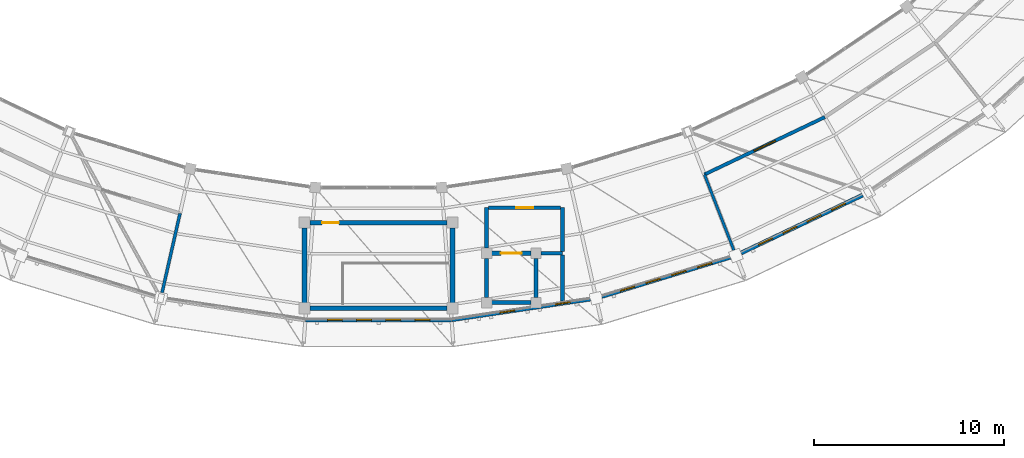
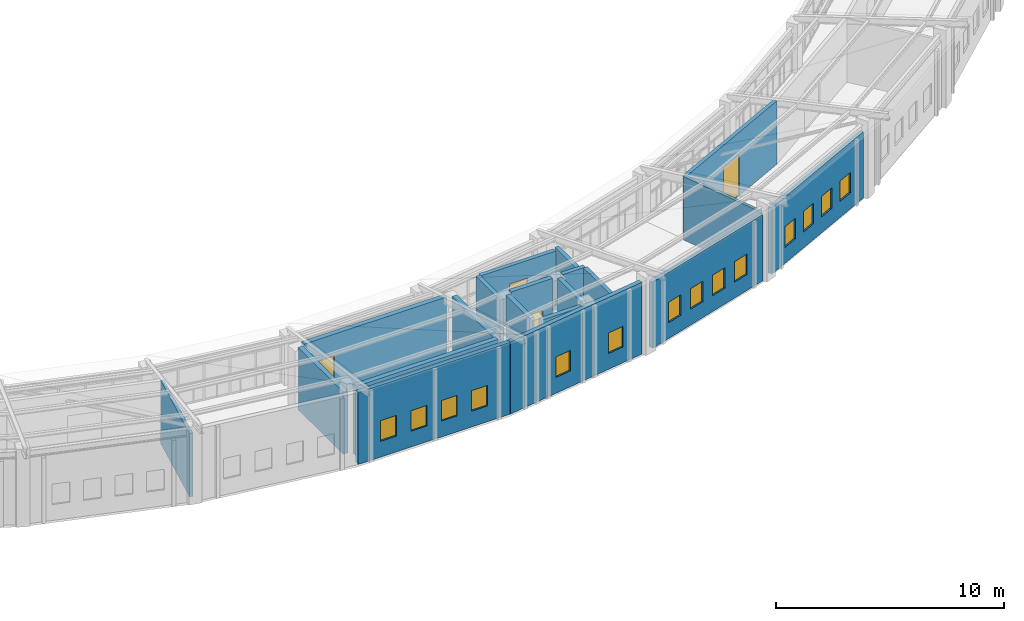
# One storey, part 123 of 149: 20 walls, 14 windows, 4 doors, 18 openings.
"""IFC4 building model written with IfcOpenShell, lengths in metres."""

from ifc_helpers import new_model, si_unit, direction, frame, frame_2d, origin, place, context, subcontext, project, spatial, rectangle, extrude, material, layer, layer_set, type_object, element, fill, save


model = new_model("IFC4")

# Units and contexts
model_context = context("Model", 3, precision=1e-05, world=origin(), true_north=direction((0.0, 1.0)))
body_context = subcontext(model_context, "Body", "Model", "MODEL_VIEW")
ifc_project = project(units=[si_unit("LENGTHUNIT", "METRE"), si_unit("AREAUNIT", "SQUARE_METRE"), si_unit("VOLUMEUNIT", "CUBIC_METRE"), si_unit("PLANEANGLEUNIT", "RADIAN"), si_unit("MASSUNIT", "GRAM", prefix="KILO")], contexts=[model_context])

# Site, building, storey
site_placement = place(None, origin())
site = spatial("IfcSite", under=ifc_project, at=site_placement, CompositionType="ELEMENT")
building_placement = place(site_placement, origin())
building = spatial("IfcBuilding", under=site, at=building_placement, Name="Celadon Cloister-Ring School", CompositionType="ELEMENT")
storey_placement = place(building_placement, frame((0.0, 0.0, 12.5)))
storey = spatial("IfcBuildingStorey", under=building, at=storey_placement, Name="L03", CompositionType="ELEMENT", Elevation=12.5)

# Wall, openings, windows
ifc_material_1 = material(Name="Perforated terracotta clay brick masonry", Category="masonry")
ifc_layer_1 = layer(ifc_material_1, 0.219970703125)
ifc_layer_set_1 = layer_set([ifc_layer_1], Name="Perforated terracotta clay brick masonry")
wall_type_1 = type_object("IfcWallType", Name="WT-EX4", PredefinedType="SOLIDWALL", material=ifc_layer_set_1)
wall_1_placement = place(storey_placement, frame((90.85205078125, 7.14306640625, 0.0), z_axis=(0.0, 0.0, 1.0), x_axis=(-1.0, 0.0, 0.0)))
wall_1 = element("IfcWall", 1, at=wall_1_placement, inside=storey, type_object=wall_type_1, Name="Exterior Wall 0191", PredefinedType="SOLIDWALL", context=body_context, shape_type="SweptSolid", body=[
    extrude(rectangle(XDim=7.68603515625, YDim=0.219970703125, at=frame_2d((3.843017578125, 0.0))), origin(), (0.0, 0.0, 1.0), 3.85009765625),
])
opening_1_placement = place(wall_1_placement, frame((1.136962890625, 0.0, 0.85009765625)))
opening_1 = element("IfcOpeningElement", 2, at=opening_1_placement, cuts=wall_1, Name="Opening WN-01", PredefinedType="OPENING", context=body_context, shape_type="SweptSolid", body=[
    extrude(rectangle(XDim=0.800048828125, YDim=1.10009765625, at=frame_2d((0.39990234375, 0.550048828125))), frame((0.0, 0.1201171875, 0.0), z_axis=(0.0, -1.0, 0.0), x_axis=(1.0, 0.0, 0.0)), (0.0, 0.0, 1.0), 0.239990234375),
])
opening_2_placement = place(wall_1_placement, frame((2.674072265625, 0.0, 0.85009765625)))
opening_2 = element("IfcOpeningElement", 3, at=opening_2_placement, cuts=wall_1, Name="Opening WN-01", PredefinedType="OPENING", context=body_context, shape_type="SweptSolid", body=[
    extrude(rectangle(XDim=0.800048828125, YDim=1.10009765625, at=frame_2d((0.39990234375, 0.550048828125))), frame((0.0, 0.1201171875, 0.0), z_axis=(0.0, -1.0, 0.0), x_axis=(1.0, 0.0, 0.0)), (0.0, 0.0, 1.0), 0.239990234375),
])
opening_3_placement = place(wall_1_placement, frame((4.2119140625, 0.0, 0.85009765625)))
opening_3 = element("IfcOpeningElement", 4, at=opening_3_placement, cuts=wall_1, Name="Opening WN-01", PredefinedType="OPENING", context=body_context, shape_type="SweptSolid", body=[
    extrude(rectangle(XDim=0.800048828125, YDim=1.10009765625, at=frame_2d((0.39990234375, 0.550048828125))), frame((0.0, 0.1201171875, 0.0), z_axis=(0.0, -1.0, 0.0), x_axis=(1.0, 0.0, 0.0)), (0.0, 0.0, 1.0), 0.239990234375),
])
opening_4_placement = place(wall_1_placement, frame((5.7490234375, 0.0, 0.85009765625)))
opening_4 = element("IfcOpeningElement", 5, at=opening_4_placement, cuts=wall_1, Name="Opening WN-01", PredefinedType="OPENING", context=body_context, shape_type="SweptSolid", body=[
    extrude(rectangle(XDim=0.800048828125, YDim=1.10009765625, at=frame_2d((0.39990234375, 0.550048828125))), frame((0.0, 0.1201171875, 0.0), z_axis=(0.0, -1.0, 0.0), x_axis=(1.0, 0.0, 0.0)), (0.0, 0.0, 1.0), 0.239990234375),
])
ifc_material_2 = material(Name="Tempered laminated insulating glass", Category="glass")
window_type = type_object("IfcWindowType", Name="WN-01", PartitioningType="SINGLE_PANEL", PredefinedType="WINDOW", material=ifc_material_2)
window_1_placement = place(opening_1_placement, origin())
window_1 = element("IfcWindow", 6, at=window_1_placement, inside=storey, type_object=window_type, Name="Window 0508", OverallHeight=1.10009765625, OverallWidth=0.800048828125, PartitioningType="SINGLE_PANEL", PredefinedType="WINDOW", context=body_context, shape_type="SweptSolid", body=[
    extrude(rectangle(XDim=0.800048828125, YDim=1.10009765625, at=frame_2d((0.39990234375, 0.550048828125))), frame((0.0, 0.030029296875, 0.0), z_axis=(0.0, -1.0, 0.0), x_axis=(1.0, 0.0, 0.0)), (0.0, 0.0, 1.0), 0.06005859375),
])
fill(opening_1, window_1)
window_2_placement = place(opening_2_placement, origin())
window_2 = element("IfcWindow", 7, at=window_2_placement, inside=storey, type_object=window_type, Name="Window 0509", OverallHeight=1.10009765625, OverallWidth=0.800048828125, PartitioningType="SINGLE_PANEL", PredefinedType="WINDOW", context=body_context, shape_type="SweptSolid", body=[
    extrude(rectangle(XDim=0.800048828125, YDim=1.10009765625, at=frame_2d((0.39990234375, 0.550048828125))), frame((0.0, 0.030029296875, 0.0), z_axis=(0.0, -1.0, 0.0), x_axis=(1.0, 0.0, 0.0)), (0.0, 0.0, 1.0), 0.06005859375),
])
fill(opening_2, window_2)
window_3_placement = place(opening_3_placement, origin())
window_3 = element("IfcWindow", 8, at=window_3_placement, inside=storey, type_object=window_type, Name="Window 0510", OverallHeight=1.10009765625, OverallWidth=0.800048828125, PartitioningType="SINGLE_PANEL", PredefinedType="WINDOW", context=body_context, shape_type="SweptSolid", body=[
    extrude(rectangle(XDim=0.800048828125, YDim=1.10009765625, at=frame_2d((0.39990234375, 0.550048828125))), frame((0.0, 0.030029296875, 0.0), z_axis=(0.0, -1.0, 0.0), x_axis=(1.0, 0.0, 0.0)), (0.0, 0.0, 1.0), 0.06005859375),
])
fill(opening_3, window_3)
window_4_placement = place(opening_4_placement, origin())
window_4 = element("IfcWindow", 9, at=window_4_placement, inside=storey, type_object=window_type, Name="Window 0511", OverallHeight=1.10009765625, OverallWidth=0.800048828125, PartitioningType="SINGLE_PANEL", PredefinedType="WINDOW", context=body_context, shape_type="SweptSolid", body=[
    extrude(rectangle(XDim=0.800048828125, YDim=1.10009765625, at=frame_2d((0.39990234375, 0.550048828125))), frame((0.0, 0.030029296875, 0.0), z_axis=(0.0, -1.0, 0.0), x_axis=(1.0, 0.0, 0.0)), (0.0, 0.0, 1.0), 0.06005859375),
])
fill(opening_4, window_4)

wall_2_placement = place(storey_placement, frame((98.1630859375, 8.235107421875, 0.0), z_axis=(0.0, 0.0, 1.0), x_axis=(-0.989032314976, -0.147699288869, 0.0)))
wall_2 = element("IfcWall", 10, at=wall_2_placement, inside=storey, type_object=wall_type_1, Name="Exterior Wall 0192", PredefinedType="SOLIDWALL", context=body_context, shape_type="SweptSolid", body=[
    extrude(rectangle(XDim=7.373779296875, YDim=0.219970703125, at=frame_2d((3.68701171875, 0.0))), origin(), (0.0, 0.0, 1.0), 3.85009765625),
])
opening_5_placement = place(wall_2_placement, frame((1.074951171875, 0.0, 0.85009765625)))
opening_5 = element("IfcOpeningElement", 11, at=opening_5_placement, cuts=wall_2, Name="Opening WN-01", PredefinedType="OPENING", context=body_context, shape_type="SweptSolid", body=[
    extrude(rectangle(XDim=0.800048828125, YDim=1.10009765625, at=frame_2d((0.39990234375, 0.550048828125))), frame((0.0, 0.1201171875, 0.0), z_axis=(0.0, -1.0, 0.0), x_axis=(1.0, 0.0, 0.0)), (0.0, 0.0, 1.0), 0.239990234375),
])
opening_6_placement = place(wall_2_placement, frame((4.02392578125, 0.0, 0.85009765625)))
opening_6 = element("IfcOpeningElement", 12, at=opening_6_placement, cuts=wall_2, Name="Opening WN-01", PredefinedType="OPENING", context=body_context, shape_type="SweptSolid", body=[
    extrude(rectangle(XDim=0.800048828125, YDim=1.10009765625, at=frame_2d((0.39990234375, 0.550048828125))), frame((0.0, 0.1201171875, 0.0), z_axis=(0.0, -1.0, 0.0), x_axis=(1.0, 0.0, 0.0)), (0.0, 0.0, 1.0), 0.239990234375),
])
window_5_placement = place(opening_5_placement, origin())
window_5 = element("IfcWindow", 13, at=window_5_placement, inside=storey, type_object=window_type, Name="Window 0512", OverallHeight=1.10009765625, OverallWidth=0.800048828125, PartitioningType="SINGLE_PANEL", PredefinedType="WINDOW", context=body_context, shape_type="SweptSolid", body=[
    extrude(rectangle(XDim=0.800048828125, YDim=1.10009765625, at=frame_2d((0.39990234375, 0.550048828125))), frame((0.0, 0.030029296875, 0.0), z_axis=(0.0, -1.0, 0.0), x_axis=(1.0, 0.0, 0.0)), (0.0, 0.0, 1.0), 0.06005859375),
])
fill(opening_5, window_5)
window_6_placement = place(opening_6_placement, origin())
window_6 = element("IfcWindow", 14, at=window_6_placement, inside=storey, type_object=window_type, Name="Window 0513", OverallHeight=1.10009765625, OverallWidth=0.800048828125, PartitioningType="SINGLE_PANEL", PredefinedType="WINDOW", context=body_context, shape_type="SweptSolid", body=[
    extrude(rectangle(XDim=0.800048828125, YDim=1.10009765625, at=frame_2d((0.39990234375, 0.550048828125))), frame((0.0, 0.030029296875, 0.0), z_axis=(0.0, -1.0, 0.0), x_axis=(1.0, 0.0, 0.0)), (0.0, 0.0, 1.0), 0.06005859375),
])
fill(opening_6, window_6)

wall_3_placement = place(storey_placement, frame((105.541015625, 10.44091796875, 0.0), z_axis=(0.0, 0.0, 1.0), x_axis=(-0.956377793717, -0.292132702183, 0.0)))
wall_3 = element("IfcWall", 15, at=wall_3_placement, inside=storey, type_object=wall_type_1, Name="Exterior Wall 0193", PredefinedType="SOLIDWALL", context=body_context, shape_type="SweptSolid", body=[
    extrude(rectangle(XDim=7.081787109375, YDim=0.219970703125, at=frame_2d((3.541015625, 0.0))), origin(), (0.0, 0.0, 1.0), 3.537109375),
])
opening_7_placement = place(wall_3_placement, frame((1.01611328125, 0.0, 0.85009765625)))
opening_7 = element("IfcOpeningElement", 16, at=opening_7_placement, cuts=wall_3, Name="Opening WN-01", PredefinedType="OPENING", context=body_context, shape_type="SweptSolid", body=[
    extrude(rectangle(XDim=0.800048828125, YDim=1.10009765625, at=frame_2d((0.39990234375, 0.550048828125))), frame((0.0, 0.1201171875, 0.0), z_axis=(0.0, -1.0, 0.0), x_axis=(1.0, 0.0, 0.0)), (0.0, 0.0, 1.0), 0.239990234375),
])
opening_8_placement = place(wall_3_placement, frame((2.43310546875, 0.0, 0.85009765625)))
opening_8 = element("IfcOpeningElement", 17, at=opening_8_placement, cuts=wall_3, Name="Opening WN-01", PredefinedType="OPENING", context=body_context, shape_type="SweptSolid", body=[
    extrude(rectangle(XDim=0.800048828125, YDim=1.10009765625, at=frame_2d((0.39990234375, 0.550048828125))), frame((0.0, 0.1201171875, 0.0), z_axis=(0.0, -1.0, 0.0), x_axis=(1.0, 0.0, 0.0)), (0.0, 0.0, 1.0), 0.239990234375),
])
opening_9_placement = place(wall_3_placement, frame((3.84912109375, 0.0, 0.85009765625)))
opening_9 = element("IfcOpeningElement", 18, at=opening_9_placement, cuts=wall_3, Name="Opening WN-01", PredefinedType="OPENING", context=body_context, shape_type="SweptSolid", body=[
    extrude(rectangle(XDim=0.800048828125, YDim=1.10009765625, at=frame_2d((0.39990234375, 0.550048828125))), frame((0.0, 0.1201171875, 0.0), z_axis=(0.0, -1.0, 0.0), x_axis=(1.0, 0.0, 0.0)), (0.0, 0.0, 1.0), 0.239990234375),
])
opening_10_placement = place(wall_3_placement, frame((5.26611328125, 0.0, 0.85009765625)))
opening_10 = element("IfcOpeningElement", 19, at=opening_10_placement, cuts=wall_3, Name="Opening WN-01", PredefinedType="OPENING", context=body_context, shape_type="SweptSolid", body=[
    extrude(rectangle(XDim=0.800048828125, YDim=1.10009765625, at=frame_2d((0.39990234375, 0.550048828125))), frame((0.0, 0.1201171875, 0.0), z_axis=(0.0, -1.0, 0.0), x_axis=(1.0, 0.0, 0.0)), (0.0, 0.0, 1.0), 0.239990234375),
])
window_7_placement = place(opening_7_placement, origin())
window_7 = element("IfcWindow", 20, at=window_7_placement, inside=storey, type_object=window_type, Name="Window 0514", OverallHeight=1.10009765625, OverallWidth=0.800048828125, PartitioningType="SINGLE_PANEL", PredefinedType="WINDOW", context=body_context, shape_type="SweptSolid", body=[
    extrude(rectangle(XDim=0.800048828125, YDim=1.10009765625, at=frame_2d((0.39990234375, 0.550048828125))), frame((0.0, 0.030029296875, 0.0), z_axis=(0.0, -1.0, 0.0), x_axis=(1.0, 0.0, 0.0)), (0.0, 0.0, 1.0), 0.06005859375),
])
fill(opening_7, window_7)
window_8_placement = place(opening_8_placement, origin())
window_8 = element("IfcWindow", 21, at=window_8_placement, inside=storey, type_object=window_type, Name="Window 0515", OverallHeight=1.10009765625, OverallWidth=0.800048828125, PartitioningType="SINGLE_PANEL", PredefinedType="WINDOW", context=body_context, shape_type="SweptSolid", body=[
    extrude(rectangle(XDim=0.800048828125, YDim=1.10009765625, at=frame_2d((0.39990234375, 0.550048828125))), frame((0.0, 0.030029296875, 0.0), z_axis=(0.0, -1.0, 0.0), x_axis=(1.0, 0.0, 0.0)), (0.0, 0.0, 1.0), 0.06005859375),
])
fill(opening_8, window_8)
window_9_placement = place(opening_9_placement, origin())
window_9 = element("IfcWindow", 22, at=window_9_placement, inside=storey, type_object=window_type, Name="Window 0516", OverallHeight=1.10009765625, OverallWidth=0.800048828125, PartitioningType="SINGLE_PANEL", PredefinedType="WINDOW", context=body_context, shape_type="SweptSolid", body=[
    extrude(rectangle(XDim=0.800048828125, YDim=1.10009765625, at=frame_2d((0.39990234375, 0.550048828125))), frame((0.0, 0.030029296875, 0.0), z_axis=(0.0, -1.0, 0.0), x_axis=(1.0, 0.0, 0.0)), (0.0, 0.0, 1.0), 0.06005859375),
])
fill(opening_9, window_9)
window_10_placement = place(opening_10_placement, origin())
window_10 = element("IfcWindow", 23, at=window_10_placement, inside=storey, type_object=window_type, Name="Window 0517", OverallHeight=1.10009765625, OverallWidth=0.800048828125, PartitioningType="SINGLE_PANEL", PredefinedType="WINDOW", context=body_context, shape_type="SweptSolid", body=[
    extrude(rectangle(XDim=0.800048828125, YDim=1.10009765625, at=frame_2d((0.39990234375, 0.550048828125))), frame((0.0, 0.030029296875, 0.0), z_axis=(0.0, -1.0, 0.0), x_axis=(1.0, 0.0, 0.0)), (0.0, 0.0, 1.0), 0.06005859375),
])
fill(opening_10, window_10)

wall_4_placement = place(storey_placement, frame((112.510986328125, 13.712890625, 0.0), z_axis=(0.0, 0.0, 1.0), x_axis=(-0.902694754948, -0.430281511792, 0.0)))
wall_4 = element("IfcWall", 24, at=wall_4_placement, inside=storey, type_object=wall_type_1, Name="Exterior Wall 0194", PredefinedType="SOLIDWALL", context=body_context, shape_type="SweptSolid", body=[
    extrude(rectangle(XDim=7.0810546875, YDim=0.219970703125, at=frame_2d((3.54052734375, 0.0))), origin(), (0.0, 0.0, 1.0), 3.537109375),
])
opening_11_placement = place(wall_4_placement, frame((1.01611328125, 0.0, 0.85009765625)))
opening_11 = element("IfcOpeningElement", 25, at=opening_11_placement, cuts=wall_4, Name="Opening WN-01", PredefinedType="OPENING", context=body_context, shape_type="SweptSolid", body=[
    extrude(rectangle(XDim=0.800048828125, YDim=1.10009765625, at=frame_2d((0.39990234375, 0.550048828125))), frame((0.0, 0.1201171875, 0.0), z_axis=(0.0, -1.0, 0.0), x_axis=(1.0, 0.0, 0.0)), (0.0, 0.0, 1.0), 0.239990234375),
])
opening_12_placement = place(wall_4_placement, frame((2.431884765625, 0.0, 0.85009765625)))
opening_12 = element("IfcOpeningElement", 26, at=opening_12_placement, cuts=wall_4, Name="Opening WN-01", PredefinedType="OPENING", context=body_context, shape_type="SweptSolid", body=[
    extrude(rectangle(XDim=0.800048828125, YDim=1.10009765625, at=frame_2d((0.39990234375, 0.550048828125))), frame((0.0, 0.1201171875, 0.0), z_axis=(0.0, -1.0, 0.0), x_axis=(1.0, 0.0, 0.0)), (0.0, 0.0, 1.0), 0.239990234375),
])
opening_13_placement = place(wall_4_placement, frame((3.84912109375, 0.0, 0.85009765625)))
opening_13 = element("IfcOpeningElement", 27, at=opening_13_placement, cuts=wall_4, Name="Opening WN-01", PredefinedType="OPENING", context=body_context, shape_type="SweptSolid", body=[
    extrude(rectangle(XDim=0.800048828125, YDim=1.10009765625, at=frame_2d((0.39990234375, 0.550048828125))), frame((0.0, 0.1201171875, 0.0), z_axis=(0.0, -1.0, 0.0), x_axis=(1.0, 0.0, 0.0)), (0.0, 0.0, 1.0), 0.239990234375),
])
opening_14_placement = place(wall_4_placement, frame((5.264892578125, 0.0, 0.85009765625)))
opening_14 = element("IfcOpeningElement", 28, at=opening_14_placement, cuts=wall_4, Name="Opening WN-01", PredefinedType="OPENING", context=body_context, shape_type="SweptSolid", body=[
    extrude(rectangle(XDim=0.800048828125, YDim=1.10009765625, at=frame_2d((0.39990234375, 0.550048828125))), frame((0.0, 0.1201171875, 0.0), z_axis=(0.0, -1.0, 0.0), x_axis=(1.0, 0.0, 0.0)), (0.0, 0.0, 1.0), 0.239990234375),
])
window_11_placement = place(opening_11_placement, origin())
window_11 = element("IfcWindow", 29, at=window_11_placement, inside=storey, type_object=window_type, Name="Window 0518", OverallHeight=1.10009765625, OverallWidth=0.800048828125, PartitioningType="SINGLE_PANEL", PredefinedType="WINDOW", context=body_context, shape_type="SweptSolid", body=[
    extrude(rectangle(XDim=0.800048828125, YDim=1.10009765625, at=frame_2d((0.39990234375, 0.550048828125))), frame((0.0, 0.030029296875, 0.0), z_axis=(0.0, -1.0, 0.0), x_axis=(1.0, 0.0, 0.0)), (0.0, 0.0, 1.0), 0.06005859375),
])
fill(opening_11, window_11)
window_12_placement = place(opening_12_placement, origin())
window_12 = element("IfcWindow", 30, at=window_12_placement, inside=storey, type_object=window_type, Name="Window 0519", OverallHeight=1.10009765625, OverallWidth=0.800048828125, PartitioningType="SINGLE_PANEL", PredefinedType="WINDOW", context=body_context, shape_type="SweptSolid", body=[
    extrude(rectangle(XDim=0.800048828125, YDim=1.10009765625, at=frame_2d((0.39990234375, 0.550048828125))), frame((0.0, 0.030029296875, 0.0), z_axis=(0.0, -1.0, 0.0), x_axis=(1.0, 0.0, 0.0)), (0.0, 0.0, 1.0), 0.06005859375),
])
fill(opening_12, window_12)
window_13_placement = place(opening_13_placement, origin())
window_13 = element("IfcWindow", 31, at=window_13_placement, inside=storey, type_object=window_type, Name="Window 0520", OverallHeight=1.10009765625, OverallWidth=0.800048828125, PartitioningType="SINGLE_PANEL", PredefinedType="WINDOW", context=body_context, shape_type="SweptSolid", body=[
    extrude(rectangle(XDim=0.800048828125, YDim=1.10009765625, at=frame_2d((0.39990234375, 0.550048828125))), frame((0.0, 0.030029296875, 0.0), z_axis=(0.0, -1.0, 0.0), x_axis=(1.0, 0.0, 0.0)), (0.0, 0.0, 1.0), 0.06005859375),
])
fill(opening_13, window_13)
window_14_placement = place(opening_14_placement, origin())
window_14 = element("IfcWindow", 32, at=window_14_placement, inside=storey, type_object=window_type, Name="Window 0521", OverallHeight=1.10009765625, OverallWidth=0.800048828125, PartitioningType="SINGLE_PANEL", PredefinedType="WINDOW", context=body_context, shape_type="SweptSolid", body=[
    extrude(rectangle(XDim=0.800048828125, YDim=1.10009765625, at=frame_2d((0.39990234375, 0.550048828125))), frame((0.0, 0.030029296875, 0.0), z_axis=(0.0, -1.0, 0.0), x_axis=(1.0, 0.0, 0.0)), (0.0, 0.0, 1.0), 0.06005859375),
])
fill(opening_14, window_14)

# Walls
ifc_material_3 = material(Name="Plastered hollow concrete masonry", Category="masonry")
ifc_layer_2 = layer(ifc_material_3, 0.199951171875)
ifc_layer_set_2 = layer_set([ifc_layer_2], Name="Plastered hollow concrete masonry")
wall_type_2 = type_object("IfcWallType", Name="WT-PT1", PredefinedType="PARTITIONING", material=ifc_layer_set_2)
wall_5_placement = place(storey_placement, frame((92.699951171875, 10.9169921875, 0.0), z_axis=(0.0, 0.0, 1.0), x_axis=(0.0, 1.0, 0.0)))
element("IfcWall", 33, at=wall_5_placement, inside=storey, type_object=wall_type_2, Name="Interior Wall 0330", PredefinedType="PARTITIONING", context=body_context, shape_type="SweptSolid", body=[
    extrude(rectangle(XDim=2.133056640625, YDim=0.199951171875, at=frame_2d((1.06640625, 0.0))), origin(), (0.0, 0.0, 1.0), 3.14501953125),
])
wall_6_placement = place(storey_placement, frame((95.56689453125, 10.64990234375, 0.0), z_axis=(0.0, 0.0, 1.0), x_axis=(1.0, 0.0, 0.0)))
element("IfcWall", 34, at=wall_6_placement, inside=storey, type_object=wall_type_2, Name="Interior Wall 0331", PredefinedType="PARTITIONING", context=body_context, shape_type="SweptSolid", body=[
    extrude(rectangle(XDim=1.133056640625, YDim=0.199951171875, at=frame_2d((0.56640625, 0.0))), origin(), (0.0, 0.0, 1.0), 3.699951171875),
])
wall_7_placement = place(storey_placement, frame((96.699951171875, 8.131103515625, 0.0), z_axis=(0.0, 0.0, 1.0), x_axis=(0.0, 1.0, 0.0)))
element("IfcWall", 35, at=wall_7_placement, inside=storey, type_object=wall_type_2, Name="Interior Wall 0332", PredefinedType="PARTITIONING", context=body_context, shape_type="SweptSolid", body=[
    extrude(rectangle(XDim=2.416015625, YDim=0.199951171875, at=frame_2d((1.2080078125, 0.0))), origin(), (0.0, 0.0, 1.0), 3.699951171875),
])
wall_8_placement = place(storey_placement, frame((96.699951171875, 10.7529296875, 0.0), z_axis=(0.0, 0.0, 1.0), x_axis=(0.0, 1.0, 0.0)))
element("IfcWall", 36, at=wall_8_placement, inside=storey, type_object=wall_type_2, Name="Interior Wall 0333", PredefinedType="PARTITIONING", context=body_context, shape_type="SweptSolid", body=[
    extrude(rectangle(XDim=2.297119140625, YDim=0.199951171875, at=frame_2d((1.1484375, 0.0))), origin(), (0.0, 0.0, 1.0), 3.2939453125),
])

# Wall, opening, door
wall_9_placement = place(storey_placement, frame((92.802978515625, 13.050048828125, 0.0), z_axis=(0.0, 0.0, 1.0), x_axis=(1.0, 0.0, 0.0)))
wall_9 = element("IfcWall", 37, at=wall_9_placement, inside=storey, type_object=wall_type_2, Name="Interior Wall 0334", PredefinedType="PARTITIONING", context=body_context, shape_type="SweptSolid", body=[
    extrude(rectangle(XDim=3.7939453125, YDim=0.199951171875, at=frame_2d((1.89697265625, 0.0))), origin(), (0.0, 0.0, 1.0), 3.14697265625),
])
opening_15_placement = place(wall_9_placement, frame((1.447021484375, 0.0, 0.0)))
opening_15 = element("IfcOpeningElement", 38, at=opening_15_placement, cuts=wall_9, Name="Opening D-0100", PredefinedType="OPENING", context=body_context, shape_type="SweptSolid", body=[
    extrude(rectangle(XDim=0.89990234375, YDim=2.199951171875, at=frame_2d((0.449951171875, 1.10009765625))), frame((0.0, 0.10986328125, 0.0), z_axis=(0.0, -1.0, 0.0), x_axis=(1.0, 0.0, 0.0)), (0.0, 0.0, 1.0), 0.219970703125),
])
ifc_material_4 = material(Name="Solid-core fire-rated hardwood leaf", Category="wood")
door_type_1 = type_object("IfcDoorType", Name="DT-06", OperationType="NOTDEFINED", PredefinedType="DOOR", material=ifc_material_4)
door_1_placement = place(opening_15_placement, origin())
door_1 = element("IfcDoor", 39, at=door_1_placement, inside=storey, type_object=door_type_1, Name="Door D-0100", OperationType="SINGLE_SWING_RIGHT", OverallHeight=2.199951171875, OverallWidth=0.89990234375, PredefinedType="DOOR", context=body_context, shape_type="SweptSolid", body=[
    extrude(rectangle(XDim=0.89990234375, YDim=2.199951171875, at=frame_2d((0.449951171875, 1.10009765625))), frame((0.0, 0.02490234375, 0.0), z_axis=(0.0, -1.0, 0.0), x_axis=(1.0, 0.0, 0.0)), (0.0, 0.0, 1.0), 0.050048828125),
])
fill(opening_15, door_1)

ifc_material_5 = material(Name="Plastered hollow concrete masonry", Category="masonry")
ifc_layer_3 = layer(ifc_material_5, 0.179931640625)
ifc_layer_set_3 = layer_set([ifc_layer_3], Name="Plastered hollow concrete masonry")
wall_type_3 = type_object("IfcWallType", Name="WT-PT2", PredefinedType="PARTITIONING", material=ifc_layer_set_3)
wall_10_placement = place(storey_placement, frame((104.178955078125, 14.801025390625, 0.0), z_axis=(0.0, 0.0, 1.0), x_axis=(0.90269858831, 0.430273469625, 0.0)))
wall_10 = element("IfcWall", 40, at=wall_10_placement, inside=storey, type_object=wall_type_3, Name="Interior Wall 0625", PredefinedType="PARTITIONING", context=body_context, shape_type="SweptSolid", body=[
    extrude(rectangle(XDim=7.025634765625, YDim=0.179931640625, at=frame_2d((3.5126953125, 0.0))), origin(), (0.0, 0.0, 1.0), 3.39697265625),
])
opening_16_placement = place(wall_10_placement, frame((2.887939453125, 0.0, 0.0)))
opening_16 = element("IfcOpeningElement", 41, at=opening_16_placement, cuts=wall_10, Name="Opening D-0222", PredefinedType="OPENING", context=body_context, shape_type="SweptSolid", body=[
    extrude(rectangle(XDim=1.25, YDim=2.199951171875, at=frame_2d((0.625, 1.10009765625))), frame((0.0, 0.10009765625, 0.0), z_axis=(0.0, -1.0, 0.0), x_axis=(1.0, 0.0, 0.0)), (0.0, 0.0, 1.0), 0.199951171875),
])
ifc_material_6 = material(Name="Galvanised fire-rated hollow steel leaf", Category="steel")
door_type_2 = type_object("IfcDoorType", Name="DT-10", OperationType="NOTDEFINED", PredefinedType="DOOR", material=ifc_material_6)
door_2_placement = place(opening_16_placement, origin())
door_2 = element("IfcDoor", 42, at=door_2_placement, inside=storey, type_object=door_type_2, Name="Door D-0222", OperationType="SINGLE_SWING_RIGHT", OverallHeight=2.199951171875, OverallWidth=1.25, PredefinedType="DOOR", context=body_context, shape_type="SweptSolid", body=[
    extrude(rectangle(XDim=1.25, YDim=2.199951171875, at=frame_2d((0.625, 1.10009765625))), frame((0.0, 0.02490234375, 0.0), z_axis=(0.0, -1.0, 0.0), x_axis=(1.0, 0.0, 0.0)), (0.0, 0.0, 1.0), 0.050048828125),
])
fill(opening_16, door_2)

# Walls
ifc_material_7 = material(Name="Plastered hollow concrete masonry", Category="masonry")
ifc_layer_4 = layer(ifc_material_7, 0.159912109375)
ifc_layer_set_4 = layer_set([ifc_layer_4], Name="Plastered hollow concrete masonry")
wall_type_4 = type_object("IfcWallType", Name="WT-PT3", PredefinedType="PARTITIONING", material=ifc_layer_set_4)
wall_11_placement = place(storey_placement, frame((76.5390625, 12.748046875, 0.0), z_axis=(0.0, 0.0, 1.0), x_axis=(-0.220636592658, -0.975356085735, 0.0)))
element("IfcWall", 43, at=wall_11_placement, inside=storey, type_object=wall_type_4, Name="Interior Wall 0599", PredefinedType="PARTITIONING", context=body_context, shape_type="SweptSolid", body=[
    extrude(rectangle(XDim=4.287841796875, YDim=0.159912109375, at=frame_2d((2.14404296875, 0.0))), origin(), (0.0, 0.0, 1.0), 3.39697265625),
])
ifc_material_8 = material(Name="Acoustic mineral-wool drywall partition")
ifc_layer_5 = layer(ifc_material_8, 0.139892578125)
ifc_layer_set_5 = layer_set([ifc_layer_5], Name="Acoustic mineral-wool drywall partition")
wall_type_5 = type_object("IfcWallType", Name="WT-PT4", PredefinedType="PARTITIONING", material=ifc_layer_set_5)
wall_12_placement = place(storey_placement, frame((104.178955078125, 14.801025390625, 0.0), z_axis=(0.0, 0.0, 1.0), x_axis=(0.362155011762, -0.932117882811, 0.0)))
element("IfcWall", 44, at=wall_12_placement, inside=storey, type_object=wall_type_5, Name="Interior Wall 0600", PredefinedType="PARTITIONING", context=body_context, shape_type="SweptSolid", body=[
    extrude(rectangle(XDim=4.2880859375, YDim=0.139892578125, at=frame_2d((2.14404296875, 0.0))), origin(), (0.0, 0.0, 1.0), 3.39697265625),
])
ifc_material_9 = material(Name="Concrete C40/50", Category="concrete")
ifc_layer_6 = layer(ifc_material_9, 0.239990234375)
ifc_layer_set_6 = layer_set([ifc_layer_6], Name="Concrete C40/50")
wall_type_6 = type_object("IfcWallType", Name="WT-SH1", PredefinedType="SHEAR", material=ifc_layer_set_6)
for number, where, z_axis, x_axis, name in (
    (45, (83.10009765625, 8.0419921875, 0.0), (0.0, 0.0, 1.0), (0.0, 1.0, 0.0), "Interior Wall 0173"),
    (46, (90.89990234375, 11.97802734375, 0.0), (0.0, 0.0, 1.0), (0.0, -1.0, 0.0), "Interior Wall 0174"),
):
    element("IfcWall", number, at=place(storey_placement, frame(where, z_axis=z_axis, x_axis=x_axis)), inside=storey, type_object=wall_type_6, Name=name, PredefinedType="SHEAR", context=body_context, shape_type="SweptSolid", body=[
        extrude(rectangle(XDim=3.93603515625, YDim=0.239990234375, at=frame_2d((1.968017578125, 0.0))), origin(), (0.0, 0.0, 1.0), 3.343994140625),
    ])
wall_13_placement = place(storey_placement, frame((90.60791015625, 7.75, 0.0), z_axis=(0.0, 0.0, 1.0), x_axis=(-1.0, 0.0, 0.0)))
element("IfcWall", 47, at=wall_13_placement, inside=storey, type_object=wall_type_6, Name="Interior Wall 0175", PredefinedType="SHEAR", context=body_context, shape_type="SweptSolid", body=[
    extrude(rectangle(XDim=7.2158203125, YDim=0.239990234375, at=frame_2d((3.60791015625, 0.0))), origin(), (0.0, 0.0, 1.0), 3.739990234375),
])

# Wall, opening, door
wall_14_placement = place(storey_placement, frame((90.60791015625, 12.27001953125, 0.0), z_axis=(0.0, 0.0, 1.0), x_axis=(-1.0, 0.0, 0.0)))
wall_14 = element("IfcWall", 48, at=wall_14_placement, inside=storey, type_object=wall_type_6, Name="Interior Wall 0176", PredefinedType="SHEAR", context=body_context, shape_type="SweptSolid", body=[
    extrude(rectangle(XDim=7.2158203125, YDim=0.239990234375, at=frame_2d((3.60791015625, 0.0))), origin(), (0.0, 0.0, 1.0), 3.27294921875),
])
opening_17_placement = place(wall_14_placement, frame((5.694091796875, 0.0, 0.0)))
opening_17 = element("IfcOpeningElement", 49, at=opening_17_placement, cuts=wall_14, Name="Opening D-0076", PredefinedType="OPENING", context=body_context, shape_type="SweptSolid", body=[
    extrude(rectangle(XDim=0.8798828125, YDim=2.10009765625, at=frame_2d((0.43994140625, 1.050048828125))), frame((0.0, 0.1298828125, 0.0), z_axis=(0.0, -1.0, 0.0), x_axis=(1.0, 0.0, 0.0)), (0.0, 0.0, 1.0), 0.260009765625),
])
ifc_material_10 = material(Name="Solid-core fire-rated hardwood leaf", Category="wood")
door_type_3 = type_object("IfcDoorType", Name="DT-01", OperationType="NOTDEFINED", PredefinedType="DOOR", material=ifc_material_10)
door_3_placement = place(opening_17_placement, origin())
door_3 = element("IfcDoor", 50, at=door_3_placement, inside=storey, type_object=door_type_3, Name="Door D-0076", OperationType="SINGLE_SWING_RIGHT", OverallHeight=2.10009765625, OverallWidth=0.8798828125, PredefinedType="DOOR", context=body_context, shape_type="SweptSolid", body=[
    extrude(rectangle(XDim=0.8798828125, YDim=2.10009765625, at=frame_2d((0.43994140625, 1.050048828125))), frame((0.0, 0.02490234375, 0.0), z_axis=(0.0, -1.0, 0.0), x_axis=(1.0, 0.0, 0.0)), (0.0, 0.0, 1.0), 0.050048828125),
])
fill(opening_17, door_3)

# Walls
ifc_material_11 = material(Name="Concrete C40/50", Category="concrete")
ifc_layer_7 = layer(ifc_material_11, 0.219970703125)
ifc_layer_set_7 = layer_set([ifc_layer_7], Name="Concrete C40/50")
wall_type_7 = type_object("IfcWallType", Name="WT-SH2", PredefinedType="SHEAR", material=ifc_layer_set_7)
wall_15_placement = place(storey_placement, frame((92.967041015625, 8.050048828125, 0.0), z_axis=(0.0, 0.0, 1.0), x_axis=(1.0, 0.0, 0.0)))
element("IfcWall", 51, at=wall_15_placement, inside=storey, type_object=wall_type_7, Name="Interior Wall 0326", PredefinedType="SHEAR", context=body_context, shape_type="SweptSolid", body=[
    extrude(rectangle(XDim=2.06591796875, YDim=0.219970703125, at=frame_2d((1.032958984375, 0.0))), origin(), (0.0, 0.0, 1.0), 3.739990234375),
])
wall_16_placement = place(storey_placement, frame((95.300048828125, 8.31689453125, 0.0), z_axis=(0.0, 0.0, 1.0), x_axis=(0.0, 1.0, 0.0)))
element("IfcWall", 52, at=wall_16_placement, inside=storey, type_object=wall_type_7, Name="Interior Wall 0327", PredefinedType="SHEAR", context=body_context, shape_type="SweptSolid", body=[
    extrude(rectangle(XDim=2.066162109375, YDim=0.219970703125, at=frame_2d((1.033203125, 0.0))), origin(), (0.0, 0.0, 1.0), 3.739990234375),
])

# Wall, opening, door
wall_17_placement = place(storey_placement, frame((95.032958984375, 10.64990234375, 0.0), z_axis=(0.0, 0.0, 1.0), x_axis=(-1.0, 0.0, 0.0)))
wall_17 = element("IfcWall", 53, at=wall_17_placement, inside=storey, type_object=wall_type_7, Name="Interior Wall 0328", PredefinedType="SHEAR", context=body_context, shape_type="SweptSolid", body=[
    extrude(rectangle(XDim=2.06591796875, YDim=0.219970703125, at=frame_2d((1.032958984375, 0.0))), origin(), (0.0, 0.0, 1.0), 3.69091796875),
])
opening_18_placement = place(wall_17_placement, frame((0.48291015625, 0.0, 0.0)))
opening_18 = element("IfcOpeningElement", 54, at=opening_18_placement, cuts=wall_17, Name="Opening LD-016", PredefinedType="OPENING", context=body_context, shape_type="SweptSolid", body=[
    extrude(rectangle(XDim=1.10009765625, YDim=2.14990234375, at=frame_2d((0.550048828125, 1.074951171875))), frame((0.0, 0.1201171875, 0.0), z_axis=(0.0, -1.0, 0.0), x_axis=(1.0, 0.0, 0.0)), (0.0, 0.0, 1.0), 0.239990234375),
])
ifc_material_12 = material(Name="Galvanised fire-rated hollow steel leaf", Category="steel")
door_type_4 = type_object("IfcDoorType", Name="DT-LD1", OperationType="DOUBLE_DOOR_SLIDING", PredefinedType="DOOR", material=ifc_material_12)
door_4_placement = place(opening_18_placement, origin())
door_4 = element("IfcDoor", 55, at=door_4_placement, inside=storey, type_object=door_type_4, Name="Door LD-016", OperationType="DOUBLE_DOOR_SLIDING", OverallHeight=2.14990234375, OverallWidth=1.10009765625, PredefinedType="DOOR", context=body_context, shape_type="SweptSolid", body=[
    extrude(rectangle(XDim=1.10009765625, YDim=2.14990234375, at=frame_2d((0.550048828125, 1.074951171875))), frame((0.0, 0.02490234375, 0.0), z_axis=(0.0, -1.0, 0.0), x_axis=(1.0, 0.0, 0.0)), (0.0, 0.0, 1.0), 0.050048828125),
])
fill(opening_18, door_4)

# Wall
wall_18_placement = place(storey_placement, frame((92.699951171875, 10.383056640625, 0.0), z_axis=(0.0, 0.0, 1.0), x_axis=(0.0, -1.0, 0.0)))
element("IfcWall", 56, at=wall_18_placement, inside=storey, type_object=wall_type_7, Name="Interior Wall 0329", PredefinedType="SHEAR", context=body_context, shape_type="SweptSolid", body=[
    extrude(rectangle(XDim=2.066162109375, YDim=0.219970703125, at=frame_2d((1.033203125, 0.0))), origin(), (0.0, 0.0, 1.0), 3.739990234375),
])

save(model, "model.ifc")
